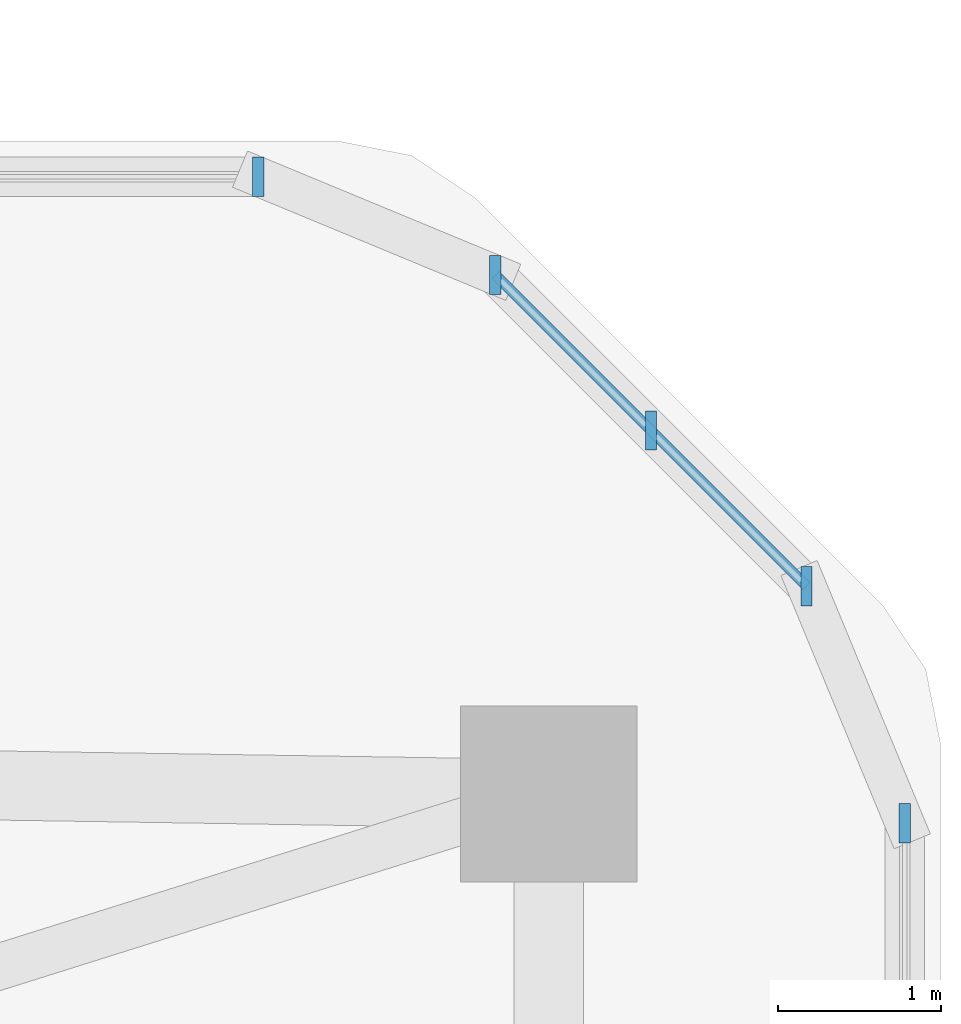
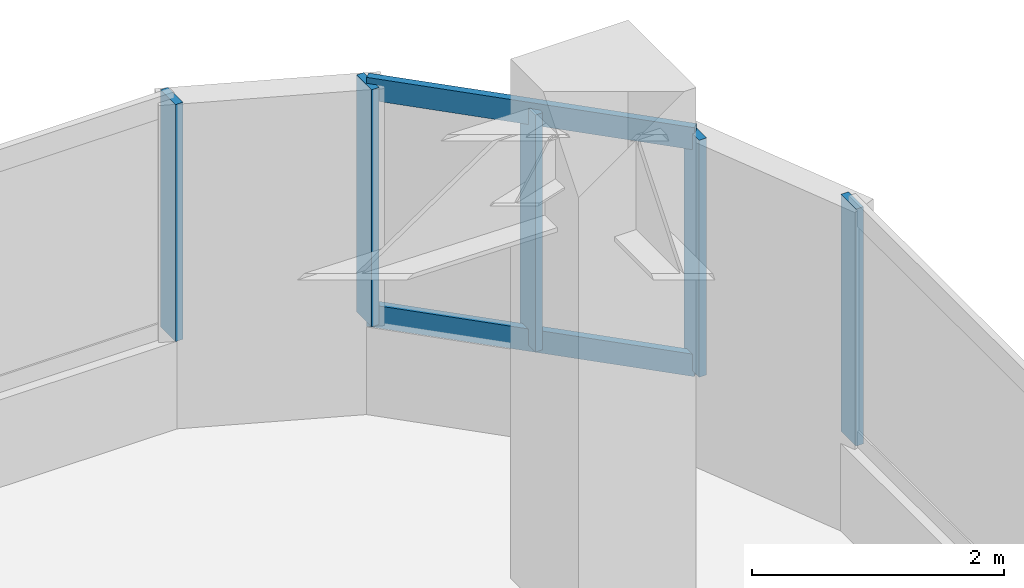
# One storey, part 11 of 21: 7 members, 3 elements without a shape of their own.
"""IFC4 building model written with IfcOpenShell, lengths in metres."""

from ifc_helpers import new_model, si_unit, derived_unit, direction, frame, origin, origin_2d, place, context, subcontext, project, spatial, rectangle, extrude, material, material_profile, profile_set, type_object, element, aggregate, save


model = new_model("IFC4")

# Units and contexts
model_context = context("Model", 3, precision=1e-05, world=origin(), true_north=direction((0.0, 1.0)))
body_context = subcontext(model_context, "Body", "Model", "MODEL_VIEW")
ifc_project = project(units=[si_unit("LENGTHUNIT", "METRE"), si_unit("AREAUNIT", "SQUARE_METRE"), si_unit("VOLUMEUNIT", "CUBIC_METRE"), si_unit("PLANEANGLEUNIT", "RADIAN"), si_unit("MASSUNIT", "GRAM", prefix="KILO"), derived_unit("THERMALTRANSMITTANCEUNIT", [(si_unit("POWERUNIT", "WATT"), 1), (si_unit("LENGTHUNIT", "METRE"), -2), (si_unit("THERMODYNAMICTEMPERATUREUNIT", "KELVIN"), -1)])], contexts=[model_context])

# Site, building, storey
site_placement = place(None, origin())
site = spatial("IfcSite", under=ifc_project, at=site_placement, CompositionType="ELEMENT")
building_placement = place(site_placement, origin())
building = spatial("IfcBuilding", under=site, at=building_placement, Name="Koralith Skygarden Medical Center", CompositionType="ELEMENT")
storey_placement = place(building_placement, frame((0.0, 0.0, 18.89990234375)))
storey = spatial("IfcBuildingStorey", under=building, at=storey_placement, Name="L04", CompositionType="ELEMENT", Elevation=18.89990234375)

# Curtain wall, member
ifc_material_1 = material(Name="Clear Laminated Glass", Category="glass")
curtain_wall_type = type_object("IfcCurtainWallType", Name="CW-1 Transit & Podium Acoustic Curtain Wall", PredefinedType="NOTDEFINED", material=ifc_material_1)
curtain_wall_1_placement = place(storey_placement, origin())
curtain_wall_1 = element("IfcCurtainWall", 1, at=curtain_wall_1_placement, inside=storey, type_object=curtain_wall_type, Name="Curtain Wall CW-L04-E", PredefinedType="NOTDEFINED")
ifc_material_2 = material(Name="Aluminium 6063-T6", Category="aluminium")
ifc_material_profile_1 = material_profile(ifc_material_2, rectangle(XDim=0.068115234375, YDim=0.239990234375, at=origin_2d()), Name="MUL68X240")
ifc_profile_set_1 = profile_set([ifc_material_profile_1], Name="Aluminium 6063-T6")
member_type_1 = type_object("IfcMemberType", Name="CW-1 Extruded Mullion 68x240", PredefinedType="MULLION", material=ifc_profile_set_1)
member_1_placement = place(storey_placement, frame((73.580078125, 47.4208984375, 0.85009765625), z_axis=(0.0, 0.0, 1.0), x_axis=(1.0, 0.0, 0.0)))
member_1 = element("IfcMember", 2, at=member_1_placement, type_object=member_type_1, Name="CW-L04-E Mullion 4", PredefinedType="MULLION", context=body_context, shape_type="SweptSolid", body=[
    extrude(rectangle(XDim=0.068115234375, YDim=0.239990234375, at=origin_2d()), origin(), (0.0, 0.0, 1.0), 2.300048828125),
])
aggregate(curtain_wall_1, [member_1])

# Curtain wall, members
curtain_wall_2_placement = place(storey_placement, origin())
curtain_wall_2 = element("IfcCurtainWall", 3, at=curtain_wall_2_placement, inside=storey, type_object=curtain_wall_type, Name="Curtain Wall CW-L04-NE", PredefinedType="NOTDEFINED")
member_2_placement = place(storey_placement, frame((72.97900390625, 48.8720703125, 0.85009765625), z_axis=(0.0, 0.0, 1.0), x_axis=(1.0, 0.0, 0.0)))
member_2 = element("IfcMember", 4, at=member_2_placement, type_object=member_type_1, Name="CW-L04-NE Mullion 1", PredefinedType="MULLION", context=body_context, shape_type="SweptSolid", body=[
    extrude(rectangle(XDim=0.068115234375, YDim=0.239990234375, at=origin_2d()), origin(), (0.0, 0.0, 1.0), 2.300048828125),
])
member_3_placement = place(storey_placement, frame((72.02490234375, 49.825927734375, 0.85009765625), z_axis=(0.0, 0.0, 1.0), x_axis=(1.0, 0.0, 0.0)))
member_3 = element("IfcMember", 5, at=member_3_placement, type_object=member_type_1, Name="CW-L04-NE Mullion 2", PredefinedType="MULLION", context=body_context, shape_type="SweptSolid", body=[
    extrude(rectangle(XDim=0.068115234375, YDim=0.239990234375, at=origin_2d()), origin(), (0.0, 0.0, 1.0), 2.300048828125),
])
member_4_placement = place(storey_placement, frame((71.072021484375, 50.779052734375, 0.85009765625), z_axis=(0.0, 0.0, 1.0), x_axis=(1.0, 0.0, 0.0)))
member_4 = element("IfcMember", 6, at=member_4_placement, type_object=member_type_1, Name="CW-L04-NE Mullion 3", PredefinedType="MULLION", context=body_context, shape_type="SweptSolid", body=[
    extrude(rectangle(XDim=0.068115234375, YDim=0.239990234375, at=origin_2d()), origin(), (0.0, 0.0, 1.0), 2.300048828125),
])

# Curtain wall, member
curtain_wall_3_placement = place(storey_placement, origin())
curtain_wall_3 = element("IfcCurtainWall", 7, at=curtain_wall_3_placement, inside=storey, type_object=curtain_wall_type, Name="Curtain Wall CW-L04-N", PredefinedType="NOTDEFINED")
member_5_placement = place(storey_placement, frame((69.62109375, 51.3798828125, 0.85009765625), z_axis=(0.0, 0.0, 1.0), x_axis=(1.0, 0.0, 0.0)))
member_5 = element("IfcMember", 8, at=member_5_placement, type_object=member_type_1, Name="CW-L04-N Mullion 1", PredefinedType="MULLION", context=body_context, shape_type="SweptSolid", body=[
    extrude(rectangle(XDim=0.068115234375, YDim=0.239990234375, at=origin_2d()), origin(), (0.0, 0.0, 1.0), 2.300048828125),
])
aggregate(curtain_wall_3, [member_5])

# Member
ifc_material_profile_2 = material_profile(ifc_material_2, rectangle(XDim=0.06298828125, YDim=0.216064453125, at=origin_2d()), Name="TRN63X216")
ifc_profile_set_2 = profile_set([ifc_material_profile_2], Name="Aluminium 6063-T6")
member_type_2 = type_object("IfcMemberType", Name="CW-1 Thermal Transom 63x216", PredefinedType="USERDEFINED", material=ifc_profile_set_2)
member_6_placement = place(storey_placement, frame((72.97900390625, 48.8720703125, 0.900146484375), z_axis=(-0.707106781187, 0.707106781187, 0.0), x_axis=(-0.707106781187, -0.707106781187, 0.0)))
member_6 = element("IfcMember", 9, at=member_6_placement, type_object=member_type_2, Name="CW-L04-NE Transom 1", ObjectType="TRANSOM", PredefinedType="USERDEFINED", context=body_context, shape_type="SweptSolid", body=[
    extrude(rectangle(XDim=0.06298828125, YDim=0.216064453125, at=origin_2d()), origin(), (0.0, 0.0, 1.0), 2.69677734375),
])

member_7_placement = place(storey_placement, frame((72.97900390625, 48.8720703125, 3.10009765625), z_axis=(-0.707106781187, 0.707106781187, 0.0), x_axis=(-0.707106781187, -0.707106781187, 0.0)))
member_7 = element("IfcMember", 10, at=member_7_placement, type_object=member_type_2, Name="CW-L04-NE Transom 2", ObjectType="TRANSOM", PredefinedType="USERDEFINED", context=body_context, shape_type="SweptSolid", body=[
    extrude(rectangle(XDim=0.06298828125, YDim=0.216064453125, at=origin_2d()), origin(), (0.0, 0.0, 1.0), 2.69677734375),
])

aggregate(curtain_wall_2, [member_2, member_3, member_4, member_6, member_7])

save(model, "model.ifc")
